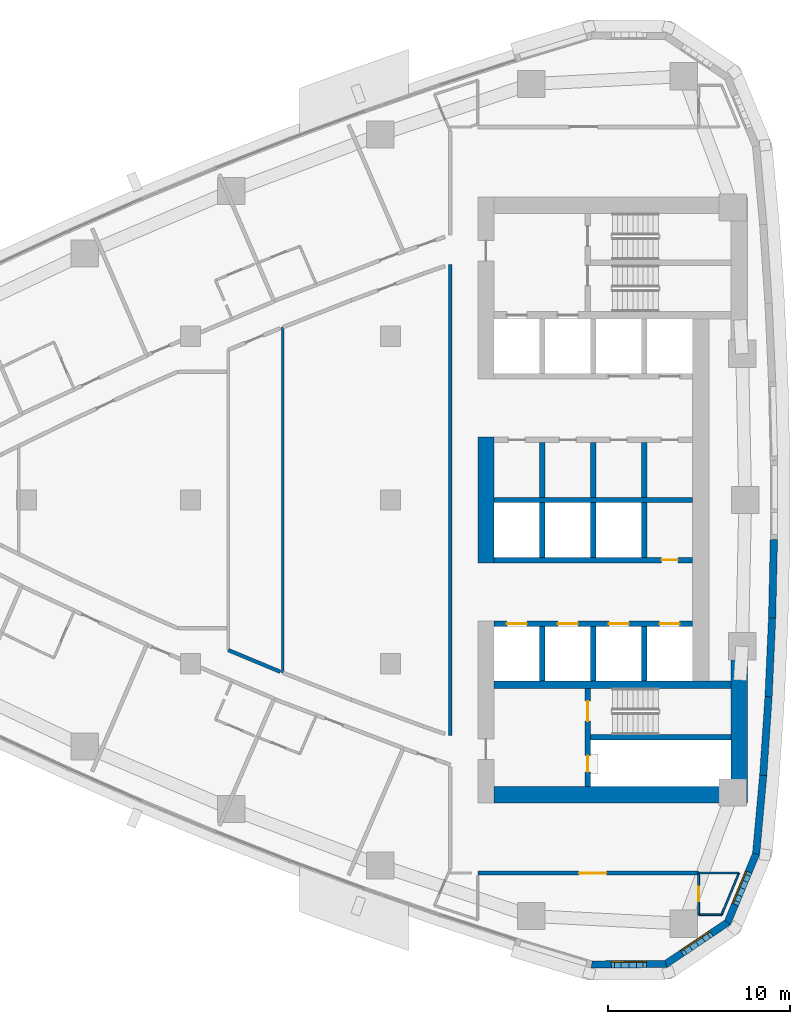
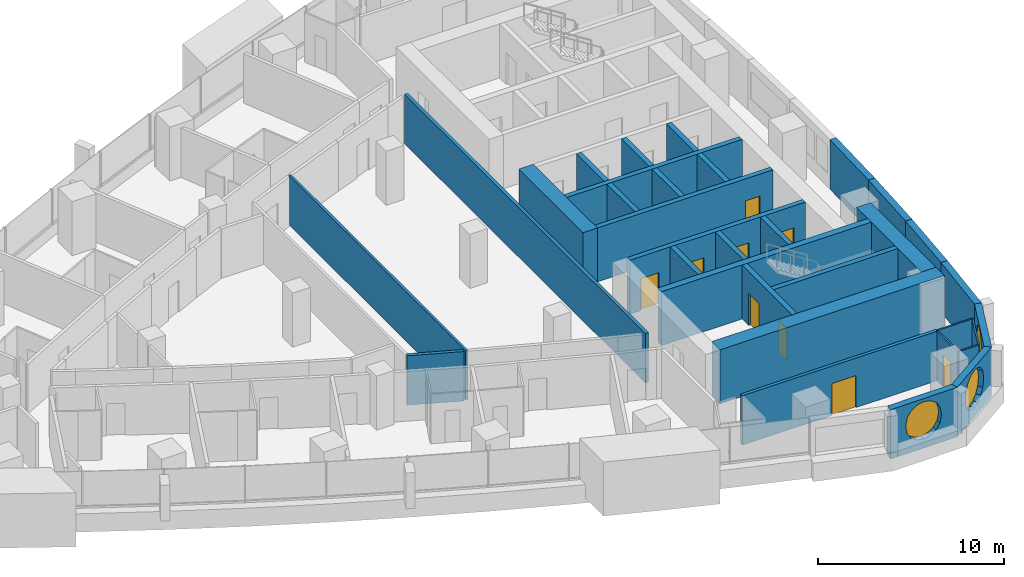
# One storey, part 10 of 17: 33 walls, 9 doors, 3 windows, 12 openings.
"""IFC4 building model written with IfcOpenShell, lengths in metres."""

import ifcopenshell
import ifcopenshell.guid

model = None  # the IFC model being written
_history = None  # IfcOwnerHistory: only IFC2X3 demands one
_inside = {}  # id of a spatial element -> (the spatial element, [elements in it])
_under = {}  # id of a project, library or spatial element -> (it, [spatial elements below it])
_declared = {}  # id of a project -> (the project, [libraries it declares])
_typed = {}  # id of a type object -> (the type object, [elements of that type])
_made_of = {}  # id of a material, layer set ... -> (it, [elements and type objects made of it])


def new_model(schema):
    """Start an empty IFC model of exactly this schema.

    Asked for "IFC4X3", IfcOpenShell would pick the latest addendum, in which some entities
    have other attributes; the version numbers below select the first issue.
    IFC2X3 requires an IfcOwnerHistory on every rooted entity: one is made here for all.
    """
    global model, _history
    if schema == "IFC4X3":
        model = ifcopenshell.file(schema_version=(4, 3, 0, 0))
    else:
        model = ifcopenshell.file(schema=schema)
    _inside.clear()
    _under.clear()
    _declared.clear()
    _typed.clear()
    _made_of.clear()
    _history = None
    if model.schema == "IFC2X3":
        org = make("IfcOrganization", Name="unknown")
        user = make(
            "IfcPersonAndOrganization",
            ThePerson=make("IfcPerson", FamilyName="unknown"),
            TheOrganization=org,
        )
        app = make(
            "IfcApplication",
            ApplicationDeveloper=org,
            Version="unknown",
            ApplicationFullName="unknown",
            ApplicationIdentifier="unknown",
        )
        _history = make(
            "IfcOwnerHistory",
            OwningUser=user,
            OwningApplication=app,
            ChangeAction="ADDED",
            CreationDate=0,
        )
    return model


def make(cls, **values):
    """One entity of the class cls with the attributes given. An attribute that is None is left unset."""
    return model.create_entity(
        cls, **{name: value for name, value in values.items() if value is not None}
    )


def rooted(cls, **values):
    """An entity with a GlobalId (a new one), such as an element, a storey or a relation."""
    return make(cls, GlobalId=ifcopenshell.guid.new(), OwnerHistory=_history, **values)


def si_unit(unit_type, name, prefix=None):
    """IfcSIUnit, for example si_unit("LENGTHUNIT", "METRE", prefix="MILLI")."""
    return make("IfcSIUnit", UnitType=unit_type, Prefix=prefix, Name=name)


def assignment(units):
    """IfcUnitAssignment: the units of a project."""
    return None if units is None else make("IfcUnitAssignment", Units=units)


def point(xyz):
    """IfcCartesianPoint."""
    return None if xyz is None else make("IfcCartesianPoint", Coordinates=xyz)


def direction(xyz):
    """IfcDirection."""
    return None if xyz is None else make("IfcDirection", DirectionRatios=xyz)


def frame(location, z_axis=None, x_axis=None):
    """IfcAxis2Placement3D, a coordinate frame: its origin and axes. An axis left out is left unset."""
    return make(
        "IfcAxis2Placement3D",
        Location=point(location),
        Axis=direction(z_axis),
        RefDirection=direction(x_axis),
    )


def frame_2d(location, x_axis=None):
    """IfcAxis2Placement2D, a coordinate frame in the plane: its origin and x axis."""
    return make(
        "IfcAxis2Placement2D", Location=point(location), RefDirection=direction(x_axis)
    )


def origin():
    """The frame at (0, 0, 0) with its axes left unset."""
    return frame((0.0, 0.0, 0.0))


def place(relative_to, where):
    """IfcLocalPlacement: puts the frame where relative to a parent placement (None: the world)."""
    return make(
        "IfcLocalPlacement", PlacementRelTo=relative_to, RelativePlacement=where
    )


def context(
    kind, dimensions, precision=None, world=None, true_north=None, identifier=None
):
    """IfcGeometricRepresentationContext, for example the 3D "Model" context."""
    return make(
        "IfcGeometricRepresentationContext",
        ContextIdentifier=identifier,
        ContextType=kind,
        CoordinateSpaceDimension=dimensions,
        Precision=precision,
        WorldCoordinateSystem=world,
        TrueNorth=true_north,
    )


def subcontext(parent, identifier, kind, view, scale=None):
    """IfcGeometricRepresentationSubContext, for example "Body" below "Model"."""
    return make(
        "IfcGeometricRepresentationSubContext",
        ContextIdentifier=identifier,
        ContextType=kind,
        ParentContext=parent,
        TargetScale=scale,
        TargetView=view,
    )


def project(units=None, contexts=None):
    """IfcProject with its units and contexts."""
    return rooted(
        "IfcProject",
        Name="project",
        RepresentationContexts=contexts,
        UnitsInContext=assignment(units),
    )


def spatial(cls, under=None, at=None, **own):
    """A site, building, storey or space (cls), placed at a placement, below another one or the project."""
    s = rooted(cls, ObjectPlacement=at, **own)
    if under is not None:
        _under.setdefault(under.id(), (under, []))[1].append(s)
    return s


def polyline(points):
    """IfcPolyline through the points."""
    return make("IfcPolyline", Points=[point(p) for p in points])


def profile(cls, at=None, kind="AREA", **sizes):
    """A parametric profile (cls). Its sizes go by their IFC names, for example OverallWidth=200.0."""
    return make(cls, ProfileType=kind, Position=at, **sizes)


def rectangle(**sizes):
    """IfcRectangleProfileDef."""
    return profile("IfcRectangleProfileDef", **sizes)


def outline(outer, holes=None, kind="AREA"):
    """IfcArbitraryClosedProfileDef: a profile drawn as a closed curve; with holes, ...WithVoids."""
    if holes is None:
        return make("IfcArbitraryClosedProfileDef", ProfileType=kind, OuterCurve=outer)
    return make(
        "IfcArbitraryProfileDefWithVoids",
        ProfileType=kind,
        OuterCurve=outer,
        InnerCurves=holes,
    )


def extrude(swept, where, along, depth):
    """IfcExtrudedAreaSolid: the profile swept, set in the frame where, extruded along a direction by depth."""
    return make(
        "IfcExtrudedAreaSolid",
        SweptArea=swept,
        Position=where,
        ExtrudedDirection=direction(along),
        Depth=depth,
    )


def shape(context_of_items, identifier, shape_type, items):
    """IfcShapeRepresentation: the items that make up one representation, for example the "Body"."""
    return make(
        "IfcShapeRepresentation",
        ContextOfItems=context_of_items,
        RepresentationIdentifier=identifier,
        RepresentationType=shape_type,
        Items=items,
    )


def material(Name=None, Category=None):
    """IfcMaterial."""
    return make("IfcMaterial", Name=Name, Category=Category)


def layer(
    of_material, thickness, ventilated=None, Name=None, Category=None, Priority=None
):
    """IfcMaterialLayer: one layer of a wall or slab, of a material (None: an air gap)."""
    return make(
        "IfcMaterialLayer",
        Material=of_material,
        LayerThickness=thickness,
        IsVentilated=ventilated,
        Name=Name,
        Category=Category,
        Priority=Priority,
    )


def layer_set(layers, Name=None):
    """IfcMaterialLayerSet."""
    return make("IfcMaterialLayerSet", MaterialLayers=layers, LayerSetName=Name)


def made_of(thing, what):
    """Note that an element or type object is made of a material, layer set ...; save() writes the relation."""
    if what is not None:
        _made_of.setdefault(what.id(), (what, []))[1].append(thing)
    return thing


def type_object(cls, material=None, **own):
    """A type object (cls), such as IfcWallType, which elements share."""
    return made_of(rooted(cls, **own), material)


def element(
    cls,
    number,
    at=None,
    inside=None,
    cuts=None,
    type_object=None,
    material=None,
    context=None,
    identifier="Body",
    shape_type=None,
    held_by="IfcProductDefinitionShape",
    body=None,
    shapes=None,
    **own,
):
    """One element of the class cls, such as IfcWall. Its Tag is "e" and its number.

    at: its placement. inside: the storey or other place that contains it. cuts: it is an
    opening in that element (IfcRelVoidsElement). A single representation is given by context,
    identifier, shape_type and body (its items); several are given by shapes. held_by: the class
    of the entity that holds the representations. save() writes the other relations.
    """
    e = rooted(cls, Tag="e%d" % number, ObjectPlacement=at, **own)
    if body is not None:
        shapes = [shape(context, identifier, shape_type, body)]
    if shapes is not None:
        e.Representation = make(held_by, Representations=shapes)
    if inside is not None:
        _inside.setdefault(inside.id(), (inside, []))[1].append(e)
    if cuts is not None:
        rooted(
            "IfcRelVoidsElement", RelatingBuildingElement=cuts, RelatedOpeningElement=e
        )
    if type_object is not None:
        _typed.setdefault(type_object.id(), (type_object, []))[1].append(e)
    return made_of(e, material)


def fill(opening, filler):
    """IfcRelFillsElement: the door or window that sits in an opening."""
    return rooted(
        "IfcRelFillsElement",
        RelatingOpeningElement=opening,
        RelatedBuildingElement=filler,
    )


def aggregate(whole, parts):
    """IfcRelAggregates: a whole, such as a stair, and the parts it consists of."""
    return rooted("IfcRelAggregates", RelatingObject=whole, RelatedObjects=parts)


def save(model, path):
    """Write the relations noted so far, then the file.

    IfcRelAggregates (storeys below a building ...), IfcRelContainedInSpatialStructure (elements
    in a storey), IfcRelDefinesByType, IfcRelAssociatesMaterial and IfcRelDeclares: one each for
    every whole, place, type object, material and project.
    """
    for whole, parts in _under.values():
        aggregate(whole, parts)
    for where, things in _inside.values():
        rooted(
            "IfcRelContainedInSpatialStructure",
            RelatedElements=things,
            RelatingStructure=where,
        )
    for kind, things in _typed.values():
        rooted("IfcRelDefinesByType", RelatedObjects=things, RelatingType=kind)
    for what, things in _made_of.values():
        rooted("IfcRelAssociatesMaterial", RelatedObjects=things, RelatingMaterial=what)
    for by, libraries in _declared.values():
        rooted("IfcRelDeclares", RelatingContext=by, RelatedDefinitions=libraries)
    model.write(path)


model = new_model("IFC4")

# Units and contexts
model_context = context("Model", 3, precision=1e-05, world=origin(), true_north=direction((0.0, 1.0)))
body_context = subcontext(model_context, "Body", "Model", "MODEL_VIEW")
ifc_project = project(units=[si_unit("LENGTHUNIT", "METRE"), si_unit("AREAUNIT", "SQUARE_METRE"), si_unit("VOLUMEUNIT", "CUBIC_METRE"), si_unit("PLANEANGLEUNIT", "RADIAN"), si_unit("MASSUNIT", "GRAM", prefix="KILO")], contexts=[model_context])

# Site, building, storey
site_placement = place(None, origin())
site = spatial("IfcSite", under=ifc_project, at=site_placement, CompositionType="ELEMENT")
building_placement = place(site_placement, origin())
building = spatial("IfcBuilding", under=site, at=building_placement, Name="Ostrand Prow Hotel Tower", CompositionType="ELEMENT")
storey_placement = place(building_placement, frame((0.0, 0.0, 158.60009765625)))
storey = spatial("IfcBuildingStorey", under=building, at=storey_placement, Name="L39", CompositionType="ELEMENT", Elevation=158.60009765625)

# Walls
ifc_material_1 = material(Name="Concrete C70/85", Category="concrete")
ifc_layer_1 = layer(ifc_material_1, 0.300048828125)
ifc_layer_set_1 = layer_set([ifc_layer_1], Name="Concrete C70/85")
wall_type_1 = type_object("IfcWallType", Name="Core wall 300 C70/85", PredefinedType="SHEAR", material=ifc_layer_set_1)
wall_1_placement = place(storey_placement, frame((50.699951171875, 0.0, 0.0), z_axis=(0.0, 0.0, 1.0), x_axis=(1.0, 0.0, 0.0)))
element("IfcWall", 1, at=wall_1_placement, inside=storey, type_object=wall_type_1, Name="Core wall PW-C", PredefinedType="SHEAR", context=body_context, shape_type="SweptSolid", body=[
    extrude(rectangle(XDim=10.900146484375, YDim=0.300048828125, at=frame_2d((5.4501953125, 0.0))), origin(), (0.0, 0.0, 1.0), 3.5498046875),
])
for number, where, z_axis, x_axis, name in (
    (2, (53.35009765625, 0.14990234375, 0.0), (0.0, 0.0, 1.0), (0.0, 1.0, 0.0), "Core wall PW-R1-NB"),
    (3, (56.14990234375, 0.14990234375, 0.0), (0.0, 0.0, 1.0), (0.0, 1.0, 0.0), "Core wall PW-R2-NB"),
    (4, (58.949951171875, 0.14990234375, 0.0), (0.0, 0.0, 1.0), (0.0, 1.0, 0.0), "Core wall PW-R3-NB"),
):
    element("IfcWall", number, at=place(storey_placement, frame(where, z_axis=z_axis, x_axis=x_axis)), inside=storey, type_object=wall_type_1, Name=name, PredefinedType="SHEAR", context=body_context, shape_type="SweptSolid", body=[
        extrude(rectangle(XDim=3.0, YDim=0.300048828125, at=frame_2d((1.5, 0.0))), origin(), (0.0, 0.0, 1.0), 3.5498046875),
    ])

# Wall, opening, door
wall_2_placement = place(storey_placement, frame((50.699951171875, -3.300048828125, 0.0), z_axis=(0.0, 0.0, 1.0), x_axis=(1.0, 0.0, 0.0)))
wall_2 = element("IfcWall", 5, at=wall_2_placement, inside=storey, type_object=wall_type_1, Name="Core wall PW-L1-S", PredefinedType="SHEAR", context=body_context, shape_type="SweptSolid", body=[
    extrude(rectangle(XDim=10.900146484375, YDim=0.300048828125, at=frame_2d((5.4501953125, 0.0))), origin(), (0.0, 0.0, 1.0), 3.5498046875),
])
opening_1_placement = place(wall_2_placement, frame((9.199951171875, 0.0, 0.0)))
opening_1 = element("IfcOpeningElement", 6, at=opening_1_placement, cuts=wall_2, Name="Opening FD2", PredefinedType="OPENING", context=body_context, shape_type="SweptSolid", body=[
    extrude(rectangle(XDim=0.89990234375, YDim=2.10009765625, at=frame_2d((0.449951171875, 1.050048828125))), frame((0.0, 0.159912109375, 0.0), z_axis=(0.0, -1.0, 0.0), x_axis=(1.0, 0.0, 0.0)), (0.0, 0.0, 1.0), 0.320068359375),
])
ifc_material_2 = material(Name="Steel fire door", Category="steel")
door_type_1 = type_object("IfcDoorType", Name="Fire door 900 EI120", OperationType="SINGLE_SWING_LEFT", PredefinedType="DOOR", material=ifc_material_2)
door_1_placement = place(opening_1_placement, origin())
door_1 = element("IfcDoor", 7, at=door_1_placement, inside=storey, type_object=door_type_1, Name="DOOR", OperationType="SINGLE_SWING_LEFT", OverallHeight=2.10009765625, OverallWidth=0.89990234375, PredefinedType="DOOR", context=body_context, shape_type="SweptSolid", body=[
    extrude(rectangle(XDim=0.89990234375, YDim=2.10009765625, at=frame_2d((0.449951171875, 1.050048828125))), frame((0.0, 0.02490234375, 0.0), z_axis=(0.0, -1.0, 0.0), x_axis=(1.0, 0.0, 0.0)), (0.0, 0.0, 1.0), 0.050048828125),
])
fill(opening_1, door_1)

# Wall, openings, doors
wall_3_placement = place(storey_placement, frame((50.699951171875, -6.800048828125, 0.0), z_axis=(0.0, 0.0, 1.0), x_axis=(1.0, 0.0, 0.0)))
wall_3 = element("IfcWall", 8, at=wall_3_placement, inside=storey, type_object=wall_type_1, Name="Core wall PW-L2-S", PredefinedType="SHEAR", context=body_context, shape_type="SweptSolid", body=[
    extrude(rectangle(XDim=10.900146484375, YDim=0.300048828125, at=frame_2d((5.4501953125, 0.0))), origin(), (0.0, 0.0, 1.0), 3.5498046875),
])
opening_2_placement = place(wall_3_placement, frame((0.699951171875, 0.0, 0.0)))
opening_2 = element("IfcOpeningElement", 9, at=opening_2_placement, cuts=wall_3, Name="Opening LD", PredefinedType="OPENING", context=body_context, shape_type="SweptSolid", body=[
    extrude(rectangle(XDim=1.10009765625, YDim=2.10009765625, at=frame_2d((0.550048828125, 1.050048828125))), frame((0.0, 0.159912109375, 0.0), z_axis=(0.0, -1.0, 0.0), x_axis=(1.0, 0.0, 0.0)), (0.0, 0.0, 1.0), 0.320068359375),
])
opening_3_placement = place(wall_3_placement, frame((3.5, 0.0, 0.0)))
opening_3 = element("IfcOpeningElement", 10, at=opening_3_placement, cuts=wall_3, Name="Opening LD", PredefinedType="OPENING", context=body_context, shape_type="SweptSolid", body=[
    extrude(rectangle(XDim=1.10009765625, YDim=2.10009765625, at=frame_2d((0.550048828125, 1.050048828125))), frame((0.0, 0.159912109375, 0.0), z_axis=(0.0, -1.0, 0.0), x_axis=(1.0, 0.0, 0.0)), (0.0, 0.0, 1.0), 0.320068359375),
])
opening_4_placement = place(wall_3_placement, frame((6.300048828125, 0.0, 0.0)))
opening_4 = element("IfcOpeningElement", 11, at=opening_4_placement, cuts=wall_3, Name="Opening LD", PredefinedType="OPENING", context=body_context, shape_type="SweptSolid", body=[
    extrude(rectangle(XDim=1.10009765625, YDim=2.10009765625, at=frame_2d((0.550048828125, 1.050048828125))), frame((0.0, 0.159912109375, 0.0), z_axis=(0.0, -1.0, 0.0), x_axis=(1.0, 0.0, 0.0)), (0.0, 0.0, 1.0), 0.320068359375),
])
opening_5_placement = place(wall_3_placement, frame((9.10009765625, 0.0, 0.0)))
opening_5 = element("IfcOpeningElement", 12, at=opening_5_placement, cuts=wall_3, Name="Opening LD", PredefinedType="OPENING", context=body_context, shape_type="SweptSolid", body=[
    extrude(rectangle(XDim=1.10009765625, YDim=2.10009765625, at=frame_2d((0.550048828125, 1.050048828125))), frame((0.0, 0.159912109375, 0.0), z_axis=(0.0, -1.0, 0.0), x_axis=(1.0, 0.0, 0.0)), (0.0, 0.0, 1.0), 0.320068359375),
])
ifc_material_3 = material(Name="Stainless steel door", Category="steel")
door_type_2 = type_object("IfcDoorType", Name="Lift landing door 1100", OperationType="DOUBLE_DOOR_SLIDING", PredefinedType="DOOR", material=ifc_material_3)
door_2_placement = place(opening_2_placement, origin())
door_2 = element("IfcDoor", 13, at=door_2_placement, inside=storey, type_object=door_type_2, Name="LIFT LANDING DOOR", OperationType="DOUBLE_DOOR_SLIDING", OverallHeight=2.10009765625, OverallWidth=1.10009765625, PredefinedType="DOOR", context=body_context, shape_type="SweptSolid", body=[
    extrude(rectangle(XDim=1.10009765625, YDim=2.10009765625, at=frame_2d((0.550048828125, 1.050048828125))), frame((0.0, 0.02490234375, 0.0), z_axis=(0.0, -1.0, 0.0), x_axis=(1.0, 0.0, 0.0)), (0.0, 0.0, 1.0), 0.050048828125),
])
fill(opening_2, door_2)
door_3_placement = place(opening_3_placement, origin())
door_3 = element("IfcDoor", 14, at=door_3_placement, inside=storey, type_object=door_type_2, Name="LIFT LANDING DOOR", OperationType="DOUBLE_DOOR_SLIDING", OverallHeight=2.10009765625, OverallWidth=1.10009765625, PredefinedType="DOOR", context=body_context, shape_type="SweptSolid", body=[
    extrude(rectangle(XDim=1.10009765625, YDim=2.10009765625, at=frame_2d((0.550048828125, 1.050048828125))), frame((0.0, 0.02490234375, 0.0), z_axis=(0.0, -1.0, 0.0), x_axis=(1.0, 0.0, 0.0)), (0.0, 0.0, 1.0), 0.050048828125),
])
fill(opening_3, door_3)
door_4_placement = place(opening_4_placement, origin())
door_4 = element("IfcDoor", 15, at=door_4_placement, inside=storey, type_object=door_type_2, Name="LIFT LANDING DOOR", OperationType="DOUBLE_DOOR_SLIDING", OverallHeight=2.10009765625, OverallWidth=1.10009765625, PredefinedType="DOOR", context=body_context, shape_type="SweptSolid", body=[
    extrude(rectangle(XDim=1.10009765625, YDim=2.10009765625, at=frame_2d((0.550048828125, 1.050048828125))), frame((0.0, 0.02490234375, 0.0), z_axis=(0.0, -1.0, 0.0), x_axis=(1.0, 0.0, 0.0)), (0.0, 0.0, 1.0), 0.050048828125),
])
fill(opening_4, door_4)
door_5_placement = place(opening_5_placement, origin())
door_5 = element("IfcDoor", 16, at=door_5_placement, inside=storey, type_object=door_type_2, Name="LIFT LANDING DOOR", OperationType="DOUBLE_DOOR_SLIDING", OverallHeight=2.10009765625, OverallWidth=1.10009765625, PredefinedType="DOOR", context=body_context, shape_type="SweptSolid", body=[
    extrude(rectangle(XDim=1.10009765625, YDim=2.10009765625, at=frame_2d((0.550048828125, 1.050048828125))), frame((0.0, 0.02490234375, 0.0), z_axis=(0.0, -1.0, 0.0), x_axis=(1.0, 0.0, 0.0)), (0.0, 0.0, 1.0), 0.050048828125),
])
fill(opening_5, door_5)

# Walls
for number, where, z_axis, x_axis, name in (
    (17, (53.35009765625, -3.14990234375, 0.0), (0.0, 0.0, 1.0), (0.0, 1.0, 0.0), "Core wall PW-R1-SB"),
    (18, (53.35009765625, -9.949951171875, 0.0), (0.0, 0.0, 1.0), (0.0, 1.0, 0.0), "Core wall PW-R1-SA"),
    (19, (56.14990234375, -3.14990234375, 0.0), (0.0, 0.0, 1.0), (0.0, 1.0, 0.0), "Core wall PW-R2-SB"),
    (20, (56.14990234375, -9.949951171875, 0.0), (0.0, 0.0, 1.0), (0.0, 1.0, 0.0), "Core wall PW-R2-SA"),
    (21, (58.949951171875, -3.14990234375, 0.0), (0.0, 0.0, 1.0), (0.0, 1.0, 0.0), "Core wall PW-R3-SB"),
    (22, (58.949951171875, -9.949951171875, 0.0), (0.0, 0.0, 1.0), (0.0, 1.0, 0.0), "Core wall PW-R3-SA"),
):
    element("IfcWall", number, at=place(storey_placement, frame(where, z_axis=z_axis, x_axis=x_axis)), inside=storey, type_object=wall_type_1, Name=name, PredefinedType="SHEAR", context=body_context, shape_type="SweptSolid", body=[
        extrude(rectangle(XDim=3.0, YDim=0.300048828125, at=frame_2d((1.5, 0.0))), origin(), (0.0, 0.0, 1.0), 3.5498046875),
    ])

# Wall, openings, doors
wall_4_placement = place(storey_placement, frame((55.85009765625, -15.75, 0.0), z_axis=(0.0, 0.0, 1.0), x_axis=(0.0, 1.0, 0.0)))
wall_4 = element("IfcWall", 23, at=wall_4_placement, inside=storey, type_object=wall_type_1, Name="Core wall PW-VS", PredefinedType="SHEAR", context=body_context, shape_type="SweptSolid", body=[
    extrude(rectangle(XDim=5.39990234375, YDim=0.300048828125, at=frame_2d((2.699951171875, 0.0))), origin(), (0.0, 0.0, 1.0), 3.5498046875),
])
opening_6_placement = place(wall_4_placement, frame((3.60009765625, 0.0, 0.0)))
opening_6 = element("IfcOpeningElement", 24, at=opening_6_placement, cuts=wall_4, Name="Opening FD1", PredefinedType="OPENING", context=body_context, shape_type="SweptSolid", body=[
    extrude(rectangle(XDim=1.10009765625, YDim=2.10009765625, at=frame_2d((0.550048828125, 1.050048828125))), frame((0.0, 0.159912109375, 0.0), z_axis=(0.0, -1.0, 0.0), x_axis=(1.0, 0.0, 0.0)), (0.0, 0.0, 1.0), 0.320068359375),
])
opening_7_placement = place(wall_4_placement, frame((0.800048828125, 0.0, 0.0)))
opening_7 = element("IfcOpeningElement", 25, at=opening_7_placement, cuts=wall_4, Name="Opening FD2", PredefinedType="OPENING", context=body_context, shape_type="SweptSolid", body=[
    extrude(rectangle(XDim=0.89990234375, YDim=2.10009765625, at=frame_2d((0.449951171875, 1.050048828125))), frame((0.0, 0.159912109375, 0.0), z_axis=(0.0, -1.0, 0.0), x_axis=(1.0, 0.0, 0.0)), (0.0, 0.0, 1.0), 0.320068359375),
])
ifc_material_4 = material(Name="Steel fire door", Category="steel")
door_type_3 = type_object("IfcDoorType", Name="Fire door 1100 EI120", OperationType="SINGLE_SWING_RIGHT", PredefinedType="DOOR", material=ifc_material_4)
door_6_placement = place(opening_6_placement, origin())
door_6 = element("IfcDoor", 26, at=door_6_placement, inside=storey, type_object=door_type_3, Name="FIRE DOOR", OperationType="SINGLE_SWING_RIGHT", OverallHeight=2.10009765625, OverallWidth=1.10009765625, PredefinedType="DOOR", context=body_context, shape_type="SweptSolid", body=[
    extrude(rectangle(XDim=1.10009765625, YDim=2.10009765625, at=frame_2d((0.550048828125, 1.050048828125))), frame((0.0, 0.02490234375, 0.0), z_axis=(0.0, -1.0, 0.0), x_axis=(1.0, 0.0, 0.0)), (0.0, 0.0, 1.0), 0.050048828125),
])
fill(opening_6, door_6)
door_7_placement = place(opening_7_placement, origin())
door_7 = element("IfcDoor", 27, at=door_7_placement, inside=storey, type_object=door_type_1, Name="FIRE DOOR", OperationType="SINGLE_SWING_LEFT", OverallHeight=2.10009765625, OverallWidth=0.89990234375, PredefinedType="DOOR", context=body_context, shape_type="SweptSolid", body=[
    extrude(rectangle(XDim=0.89990234375, YDim=2.10009765625, at=frame_2d((0.449951171875, 1.050048828125))), frame((0.0, 0.02490234375, 0.0), z_axis=(0.0, -1.0, 0.0), x_axis=(1.0, 0.0, 0.0)), (0.0, 0.0, 1.0), 0.050048828125),
])
fill(opening_7, door_7)

# Walls
wall_5_placement = place(storey_placement, frame((56.0, -13.050048828125, 0.0), z_axis=(0.0, 0.0, 1.0), x_axis=(1.0, 0.0, 0.0)))
element("IfcWall", 28, at=wall_5_placement, inside=storey, type_object=wall_type_1, Name="Core wall PW-ST2R", PredefinedType="SHEAR", context=body_context, shape_type="SweptSolid", body=[
    extrude(rectangle(XDim=7.719970703125, YDim=0.300048828125, at=frame_2d((3.85986328125, 0.0))), origin(), (0.0, 0.0, 1.0), 3.5498046875),
])
ifc_material_5 = material(Name="Concrete C70/85", Category="concrete")
ifc_layer_2 = layer(ifc_material_5, 0.39990234375)
ifc_layer_set_2 = layer_set([ifc_layer_2], Name="Concrete C70/85")
wall_type_2 = type_object("IfcWallType", Name="Core wall 400 C70/85", PredefinedType="SHEAR", material=ifc_layer_set_2)
wall_6_placement = place(storey_placement, frame((50.699951171875, -10.14990234375, 0.0), z_axis=(0.0, 0.0, 1.0), x_axis=(1.0, 0.0, 0.0)))
element("IfcWall", 29, at=wall_6_placement, inside=storey, type_object=wall_type_2, Name="Core wall PW-BS", PredefinedType="SHEAR", context=body_context, shape_type="SweptSolid", body=[
    extrude(rectangle(XDim=13.02001953125, YDim=0.39990234375, at=frame_2d((6.510009765625, 0.0))), origin(), (0.0, 0.0, 1.0), 3.5498046875),
])
ifc_material_6 = material(Name="Concrete C70/85", Category="concrete")
ifc_layer_3 = layer(ifc_material_6, 0.89990234375)
ifc_layer_set_3 = layer_set([ifc_layer_3], Name="Concrete C70/85")
wall_type_3 = type_object("IfcWallType", Name="Core wall 900 C70/85", PredefinedType="SHEAR", material=ifc_layer_set_3)
wall_7_placement = place(storey_placement, frame((50.25, -3.449951171875, 0.0), z_axis=(0.0, 0.0, 1.0), x_axis=(0.0, 1.0, 0.0)))
element("IfcWall", 30, at=wall_7_placement, inside=storey, type_object=wall_type_3, Name="Core wall CW-W-C", PredefinedType="SHEAR", context=body_context, shape_type="SweptSolid", body=[
    extrude(rectangle(XDim=6.89990234375, YDim=0.89990234375, at=frame_2d((3.449951171875, 0.0))), origin(), (0.0, 0.0, 1.0), 3.5498046875),
])
wall_8_placement = place(storey_placement, frame((50.699951171875, -16.199951171875, 0.0), z_axis=(0.0, 0.0, 1.0), x_axis=(1.0, 0.0, 0.0)))
element("IfcWall", 31, at=wall_8_placement, inside=storey, type_object=wall_type_3, Name="Core wall CW-S", PredefinedType="SHEAR", context=body_context, shape_type="SweptSolid", body=[
    extrude(rectangle(XDim=13.920166015625, YDim=0.89990234375, at=frame_2d((6.9599609375, 0.0))), origin(), (0.0, 0.0, 1.0), 3.5498046875),
])
wall_9_placement = place(storey_placement, frame((64.169921875, -15.75, 0.0), z_axis=(0.0, 0.0, 1.0), x_axis=(0.0, 1.0, 0.0)))
element("IfcWall", 32, at=wall_9_placement, inside=storey, type_object=wall_type_3, Name="Core wall CW-E-S", PredefinedType="SHEAR", context=body_context, shape_type="SweptSolid", body=[
    extrude(rectangle(XDim=7.00537109375, YDim=0.89990234375, at=frame_2d((3.502685546875, 0.0))), origin(), (0.0, 0.0, 1.0), 3.5498046875),
])

# Wall, opening, door
ifc_material_7 = material(Name="Plasterboard partition")
ifc_layer_4 = layer(ifc_material_7, 0.10009765625)
ifc_layer_set_4 = layer_set([ifc_layer_4], Name="Plasterboard partition")
wall_type_4 = type_object("IfcWallType", Name="Partition 100 bathroom wall", PredefinedType="PARTITIONING", material=ifc_layer_set_4)
wall_10_placement = place(storey_placement, frame((61.9375, -22.800048828125, 0.0), z_axis=(0.0, 0.0, 1.0), x_axis=(0.0, 1.0, 0.0)))
wall_10 = element("IfcWall", 33, at=wall_10_placement, inside=storey, type_object=wall_type_4, Name="BATHROOM WALL", PredefinedType="PARTITIONING", context=body_context, shape_type="SweptSolid", body=[
    extrude(rectangle(XDim=2.300048828125, YDim=0.10009765625, at=frame_2d((1.14990234375, 0.0))), origin(), (0.0, 0.0, 1.0), 3.25),
])
opening_8_placement = place(wall_10_placement, frame((0.75, 0.0, 0.0)))
opening_8 = element("IfcOpeningElement", 34, at=opening_8_placement, cuts=wall_10, Name="Opening D2", PredefinedType="OPENING", context=body_context, shape_type="SweptSolid", body=[
    extrude(rectangle(XDim=0.800048828125, YDim=2.10009765625, at=frame_2d((0.39990234375, 1.050048828125))), frame((0.0, 0.06005859375, 0.0), z_axis=(0.0, -1.0, 0.0), x_axis=(1.0, 0.0, 0.0)), (0.0, 0.0, 1.0), 0.1201171875),
])
ifc_material_8 = material(Name="Timber door leaf", Category="wood")
door_type_4 = type_object("IfcDoorType", Name="Bathroom door 800", OperationType="SINGLE_SWING_LEFT", PredefinedType="DOOR", material=ifc_material_8)
door_8_placement = place(opening_8_placement, origin())
door_8 = element("IfcDoor", 35, at=door_8_placement, inside=storey, type_object=door_type_4, Name="DOOR", OperationType="SINGLE_SWING_LEFT", OverallHeight=2.10009765625, OverallWidth=0.800048828125, PredefinedType="DOOR", context=body_context, shape_type="SweptSolid", body=[
    extrude(rectangle(XDim=0.800048828125, YDim=2.10009765625, at=frame_2d((0.39990234375, 1.050048828125))), frame((0.0, 0.02490234375, 0.0), z_axis=(0.0, -1.0, 0.0), x_axis=(1.0, 0.0, 0.0)), (0.0, 0.0, 1.0), 0.050048828125),
])
fill(opening_8, door_8)

# Walls
wall_11_placement = place(storey_placement, frame((63.1982421875, -22.800048828125, 0.0), z_axis=(0.0, 0.0, 1.0), x_axis=(-1.0, 0.0, 0.0)))
element("IfcWall", 36, at=wall_11_placement, inside=storey, type_object=wall_type_4, Name="BATHROOM WALL", PredefinedType="PARTITIONING", context=body_context, shape_type="SweptSolid", body=[
    extrude(rectangle(XDim=1.2607421875, YDim=0.10009765625, at=frame_2d((0.63037109375, 0.0))), origin(), (0.0, 0.0, 1.0), 3.25),
])
wall_12_placement = place(storey_placement, frame((61.9375, -20.5048828125, 0.0), z_axis=(0.0, 0.0, 1.0), x_axis=(1.0, 0.0, 0.0)))
element("IfcWall", 37, at=wall_12_placement, inside=storey, type_object=wall_type_4, Name="BATHROOM WALL", PredefinedType="PARTITIONING", context=body_context, shape_type="SweptSolid", body=[
    extrude(rectangle(XDim=2.21484375, YDim=0.10009765625, at=frame_2d((1.107421875, 0.0))), origin(), (0.0, 0.0, 1.0), 3.25),
])
wall_13_placement = place(storey_placement, frame((64.15234375, -20.5048828125, 0.0), z_axis=(0.0, 0.0, 1.0), x_axis=(-0.383855043906, -0.923393364319, 0.0)))
element("IfcWall", 38, at=wall_13_placement, inside=storey, type_object=wall_type_4, Name="BATHROOM WALL", PredefinedType="PARTITIONING", context=body_context, shape_type="SweptSolid", body=[
    extrude(rectangle(XDim=2.485595703125, YDim=0.10009765625, at=frame_2d((1.24267578125, 0.0))), origin(), (0.0, 0.0, 1.0), 3.25),
])
ifc_material_9 = material(Name="Plasterboard partition")
ifc_layer_5 = layer(ifc_material_9, 0.14990234375)
ifc_layer_set_5 = layer_set([ifc_layer_5], Name="Plasterboard partition")
wall_type_5 = type_object("IfcWallType", Name="Partition 150 room partition", PredefinedType="PARTITIONING", material=ifc_layer_set_5)
wall_14_placement = place(storey_placement, frame((39.08740234375, -9.497802734375, 0.0), z_axis=(0.0, 0.0, 1.0), x_axis=(0.0, 1.0, 0.0)))
element("IfcWall", 39, at=wall_14_placement, inside=storey, type_object=wall_type_5, Name="ROOM PARTITION", PredefinedType="PARTITIONING", context=body_context, shape_type="SweptSolid", body=[
    extrude(rectangle(XDim=18.99560546875, YDim=0.14990234375, at=frame_2d((9.497802734375, 0.0))), origin(), (0.0, 0.0, 1.0), 3.25),
])
ifc_material_10 = material(Name="Plasterboard partition")
ifc_layer_6 = layer(ifc_material_10, 0.199951171875)
ifc_layer_set_6 = layer_set([ifc_layer_6], Name="Plasterboard partition")
wall_type_6 = type_object("IfcWallType", Name="Partition 200 corridor wall", PredefinedType="PARTITIONING", material=ifc_layer_set_6)
wall_15_placement = place(storey_placement, frame((38.943115234375, -9.44091796875, 0.0), z_axis=(0.0, 0.0, 1.0), x_axis=(-0.923013875818, 0.384766663118, 0.0)))
element("IfcWall", 40, at=wall_15_placement, inside=storey, type_object=wall_type_6, Name="CORRIDOR WALL", PredefinedType="PARTITIONING", context=body_context, shape_type="SweptSolid", body=[
    extrude(rectangle(XDim=3.093994140625, YDim=0.199951171875, at=frame_2d((1.546875, 0.0))), origin(), (0.0, 0.0, 1.0), 3.25),
])

# Wall, opening, door
wall_16_placement = place(storey_placement, frame((49.800048828125, -20.5048828125, 0.0), z_axis=(0.0, 0.0, 1.0), x_axis=(1.0, 0.0, 0.0)))
wall_16 = element("IfcWall", 41, at=wall_16_placement, inside=storey, type_object=wall_type_6, Name="CORRIDOR WALL", PredefinedType="PARTITIONING", context=body_context, shape_type="SweptSolid", body=[
    extrude(rectangle(XDim=12.132568359375, YDim=0.199951171875, at=frame_2d((6.06640625, 0.0))), origin(), (0.0, 0.0, 1.0), 3.25),
])
opening_9_placement = place(wall_16_placement, frame((5.56640625, 0.0, 0.0)))
opening_9 = element("IfcOpeningElement", 42, at=opening_9_placement, cuts=wall_16, Name="Opening D15", PredefinedType="OPENING", context=body_context, shape_type="SweptSolid", body=[
    extrude(rectangle(XDim=1.5, YDim=2.10009765625, at=frame_2d((0.75, 1.050048828125))), frame((0.0, 0.10986328125, 0.0), z_axis=(0.0, -1.0, 0.0), x_axis=(1.0, 0.0, 0.0)), (0.0, 0.0, 1.0), 0.219970703125),
])
ifc_material_11 = material(Name="Timber door leaf", Category="wood")
door_type_5 = type_object("IfcDoorType", Name="Double door 1500", OperationType="DOUBLE_DOOR_SINGLE_SWING", PredefinedType="DOOR", material=ifc_material_11)
door_9_placement = place(opening_9_placement, origin())
door_9 = element("IfcDoor", 43, at=door_9_placement, inside=storey, type_object=door_type_5, Name="DOOR", OperationType="DOUBLE_DOOR_SINGLE_SWING", OverallHeight=2.10009765625, OverallWidth=1.5, PredefinedType="DOOR", context=body_context, shape_type="SweptSolid", body=[
    extrude(rectangle(XDim=1.5, YDim=2.10009765625, at=frame_2d((0.75, 1.050048828125))), frame((0.0, 0.02490234375, 0.0), z_axis=(0.0, -1.0, 0.0), x_axis=(1.0, 0.0, 0.0)), (0.0, 0.0, 1.0), 0.050048828125),
])
fill(opening_9, door_9)

# Wall
wall_17_placement = place(storey_placement, frame((48.294921875, 12.955078125, 0.0), z_axis=(0.0, 0.0, 1.0), x_axis=(0.0, -1.0, 0.0)))
element("IfcWall", 44, at=wall_17_placement, inside=storey, type_object=wall_type_6, Name="CORRIDOR WALL", PredefinedType="PARTITIONING", context=body_context, shape_type="SweptSolid", body=[
    extrude(rectangle(XDim=25.91015625, YDim=0.199951171875, at=frame_2d((12.955078125, 0.0))), origin(), (0.0, 0.0, 1.0), 3.25),
])

# Wall, opening, window
ifc_material_12 = material(Name="Precast concrete C40/50", Category="concrete")
ifc_layer_7 = layer(ifc_material_12, 0.39990234375)
ifc_layer_set_7 = layer_set([ifc_layer_7], Name="Precast concrete C40/50")
wall_type_7 = type_object("IfcWallType", Name="Stone-faced precast wall 400 mm", PredefinedType="NOTDEFINED", material=ifc_layer_set_7)
wall_18_placement = place(storey_placement, frame((56.05810546875, -25.530517578125, 0.0), z_axis=(0.0, 0.0, 1.0), x_axis=(0.99996933771, 0.007830941131, 0.0)))
wall_18 = element("IfcWall", 45, at=wall_18_placement, inside=storey, type_object=wall_type_7, Name="Stone-faced wall back 2", PredefinedType="NOTDEFINED", context=body_context, shape_type="SweptSolid", body=[
    extrude(outline(polyline([(-0.030517578125, -0.199951171875), (4.14453125, -0.199951171875), (4.02392578125, 0.199951171875), (0.030517578125, 0.199951171875), (-0.030517578125, -0.199951171875)])), origin(), (0.0, 0.0, 1.0), 3.25),
])
opening_10_placement = place(wall_18_placement, frame((0.94189453125, 0.0, 0.60009765625)))
opening_10 = element("IfcOpeningElement", 46, at=opening_10_placement, cuts=wall_18, Name="Opening WP1", PredefinedType="OPENING", context=body_context, shape_type="SweptSolid", body=[
    extrude(outline(polyline([(0.0, 1.35009765625), (0.083740234375, 1.77099609375), (0.322265625, 2.127685546875), (0.678955078125, 2.3662109375), (1.10009765625, 2.449951171875), (1.52099609375, 2.3662109375), (1.877685546875, 2.127685546875), (2.1162109375, 1.77099609375), (2.199951171875, 1.35009765625), (2.199951171875, 1.10009765625), (2.1162109375, 0.678955078125), (1.877685546875, 0.322265625), (1.52099609375, 0.083740234375), (1.10009765625, 0.0), (0.678955078125, 0.083740234375), (0.322265625, 0.322265625), (0.083740234375, 0.678955078125), (0.0, 1.099853515625), (0.0, 1.35009765625)])), frame((0.0, 0.2099609375, 0.0), z_axis=(0.0, -1.0, 0.0), x_axis=(1.0, 0.0, 0.0)), (0.0, 0.0, 1.0), 0.419921875),
])
ifc_material_13 = material(Name="Insulated glass in bronze frame", Category="glass")
window_type = type_object("IfcWindowType", Name="Round-ended prow window 2200x2450", PartitioningType="SINGLE_PANEL", PredefinedType="WINDOW", material=ifc_material_13)
window_1_placement = place(opening_10_placement, origin())
window_1 = element("IfcWindow", 47, at=window_1_placement, inside=storey, type_object=window_type, Name="Window back 2.1", OverallHeight=2.449951171875, OverallWidth=2.199951171875, PartitioningType="SINGLE_PANEL", PredefinedType="WINDOW", context=body_context, shape_type="SweptSolid", body=[
    extrude(outline(polyline([(0.0, 1.35009765625), (0.083740234375, 1.77099609375), (0.322265625, 2.127685546875), (0.678955078125, 2.3662109375), (1.10009765625, 2.449951171875), (1.52099609375, 2.3662109375), (1.877685546875, 2.127685546875), (2.1162109375, 1.77099609375), (2.199951171875, 1.35009765625), (2.199951171875, 1.10009765625), (2.1162109375, 0.678955078125), (1.877685546875, 0.322265625), (1.52099609375, 0.083740234375), (1.10009765625, 0.0), (0.678955078125, 0.083740234375), (0.322265625, 0.322265625), (0.083740234375, 0.678955078125), (0.0, 1.099853515625), (0.0, 1.35009765625)])), frame((0.0, 0.169921875, 0.0), z_axis=(0.0, -1.0, 0.0), x_axis=(1.0, 0.0, 0.0)), (0.0, 0.0, 1.0), 0.06005859375),
])
fill(opening_10, window_1)

wall_19_placement = place(storey_placement, frame((60.14208984375, -25.49853515625, 0.0), z_axis=(0.0, 0.0, 1.0), x_axis=(0.829642062482, 0.558295663749, 0.0)))
wall_19 = element("IfcWall", 48, at=wall_19_placement, inside=storey, type_object=wall_type_7, Name="Stone-faced wall back 3", PredefinedType="NOTDEFINED", context=body_context, shape_type="SweptSolid", body=[
    extrude(outline(polyline([(-0.060302734375, -0.199951171875), (4.144287109375, -0.199951171875), (4.023681640625, 0.199951171875), (0.060302734375, 0.199951171875), (-0.060302734375, -0.199951171875)])), origin(), (0.0, 0.0, 1.0), 3.25),
])
opening_11_placement = place(wall_19_placement, frame((0.94189453125, 0.0, 0.60009765625)))
opening_11 = element("IfcOpeningElement", 49, at=opening_11_placement, cuts=wall_19, Name="Opening WP1", PredefinedType="OPENING", context=body_context, shape_type="SweptSolid", body=[
    extrude(outline(polyline([(0.0, 1.35009765625), (0.083740234375, 1.77099609375), (0.322265625, 2.127685546875), (0.678955078125, 2.3662109375), (1.10009765625, 2.449951171875), (1.52099609375, 2.3662109375), (1.877685546875, 2.127685546875), (2.1162109375, 1.77099609375), (2.199951171875, 1.35009765625), (2.199951171875, 1.10009765625), (2.1162109375, 0.678955078125), (1.877685546875, 0.322265625), (1.52099609375, 0.083740234375), (1.10009765625, 0.0), (0.678955078125, 0.083740234375), (0.322265625, 0.322265625), (0.083740234375, 0.678955078125), (0.0, 1.099853515625), (0.0, 1.35009765625)])), frame((0.0, 0.2099609375, 0.0), z_axis=(0.0, -1.0, 0.0), x_axis=(1.0, 0.0, 0.0)), (0.0, 0.0, 1.0), 0.419921875),
])
window_2_placement = place(opening_11_placement, origin())
window_2 = element("IfcWindow", 50, at=window_2_placement, inside=storey, type_object=window_type, Name="Window back 3.1", OverallHeight=2.449951171875, OverallWidth=2.199951171875, PartitioningType="SINGLE_PANEL", PredefinedType="WINDOW", context=body_context, shape_type="SweptSolid", body=[
    extrude(outline(polyline([(0.0, 1.35009765625), (0.083740234375, 1.77099609375), (0.322265625, 2.127685546875), (0.678955078125, 2.3662109375), (1.10009765625, 2.449951171875), (1.52099609375, 2.3662109375), (1.877685546875, 2.127685546875), (2.1162109375, 1.77099609375), (2.199951171875, 1.35009765625), (2.199951171875, 1.10009765625), (2.1162109375, 0.678955078125), (1.877685546875, 0.322265625), (1.52099609375, 0.083740234375), (1.10009765625, 0.0), (0.678955078125, 0.083740234375), (0.322265625, 0.322265625), (0.083740234375, 0.678955078125), (0.0, 1.099853515625), (0.0, 1.35009765625)])), frame((0.0, 0.169921875, 0.0), z_axis=(0.0, -1.0, 0.0), x_axis=(1.0, 0.0, 0.0)), (0.0, 0.0, 1.0), 0.06005859375),
])
fill(opening_11, window_2)

wall_20_placement = place(storey_placement, frame((63.5302734375, -23.218505859375, 0.0), z_axis=(0.0, 0.0, 1.0), x_axis=(0.383817293519, 0.923409056267, 0.0)))
wall_20 = element("IfcWall", 51, at=wall_20_placement, inside=storey, type_object=wall_type_7, Name="Stone-faced wall back 4", PredefinedType="NOTDEFINED", context=body_context, shape_type="SweptSolid", body=[
    extrude(outline(polyline([(-0.060302734375, -0.199951171875), (4.11474609375, -0.199951171875), (4.0537109375, 0.199951171875), (0.060302734375, 0.199951171875), (-0.060302734375, -0.199951171875)])), origin(), (0.0, 0.0, 1.0), 3.25),
])
opening_12_placement = place(wall_20_placement, frame((0.94189453125, 0.0, 0.60009765625)))
opening_12 = element("IfcOpeningElement", 52, at=opening_12_placement, cuts=wall_20, Name="Opening WP1", PredefinedType="OPENING", context=body_context, shape_type="SweptSolid", body=[
    extrude(outline(polyline([(0.0, 1.35009765625), (0.083740234375, 1.77099609375), (0.322265625, 2.127685546875), (0.678955078125, 2.3662109375), (1.10009765625, 2.449951171875), (1.52099609375, 2.3662109375), (1.877685546875, 2.127685546875), (2.1162109375, 1.77099609375), (2.199951171875, 1.35009765625), (2.199951171875, 1.10009765625), (2.1162109375, 0.678955078125), (1.877685546875, 0.322265625), (1.52099609375, 0.083740234375), (1.10009765625, 0.0), (0.678955078125, 0.083740234375), (0.322265625, 0.322265625), (0.083740234375, 0.678955078125), (0.0, 1.099853515625), (0.0, 1.35009765625)])), frame((0.0, 0.2099609375, 0.0), z_axis=(0.0, -1.0, 0.0), x_axis=(1.0, 0.0, 0.0)), (0.0, 0.0, 1.0), 0.419921875),
])
window_3_placement = place(opening_12_placement, origin())
window_3 = element("IfcWindow", 53, at=window_3_placement, inside=storey, type_object=window_type, Name="Window back 4.1", OverallHeight=2.449951171875, OverallWidth=2.199951171875, PartitioningType="SINGLE_PANEL", PredefinedType="WINDOW", context=body_context, shape_type="SweptSolid", body=[
    extrude(outline(polyline([(0.0, 1.35009765625), (0.083740234375, 1.77099609375), (0.322265625, 2.127685546875), (0.678955078125, 2.3662109375), (1.10009765625, 2.449951171875), (1.52099609375, 2.3662109375), (1.877685546875, 2.127685546875), (2.1162109375, 1.77099609375), (2.199951171875, 1.35009765625), (2.199951171875, 1.10009765625), (2.1162109375, 0.678955078125), (1.877685546875, 0.322265625), (1.52099609375, 0.083740234375), (1.10009765625, 0.0), (0.678955078125, 0.083740234375), (0.322265625, 0.322265625), (0.083740234375, 0.678955078125), (0.0, 1.099853515625), (0.0, 1.35009765625)])), frame((0.0, 0.169921875, 0.0), z_axis=(0.0, -1.0, 0.0), x_axis=(1.0, 0.0, 0.0)), (0.0, 0.0, 1.0), 0.06005859375),
])
fill(opening_12, window_3)

# Walls
wall_21_placement = place(storey_placement, frame((65.097900390625, -19.447021484375, 0.0), z_axis=(0.0, 0.0, 1.0), x_axis=(0.090296735989, 0.995914905737, 0.0)))
element("IfcWall", 54, at=wall_21_placement, inside=storey, type_object=wall_type_7, Name="Stone-faced wall back 5", PredefinedType="NOTDEFINED", context=body_context, shape_type="SweptSolid", body=[
    extrude(outline(polyline([(-0.030517578125, -0.199951171875), (4.330810546875, -0.199951171875), (4.326416015625, 0.199951171875), (0.030517578125, 0.199951171875), (-0.030517578125, -0.199951171875)])), origin(), (0.0, 0.0, 1.0), 3.25),
])
for number, where, z_axis, x_axis, name in (
    (55, (65.48876953125, -15.135986328125, 0.0), (0.0, 0.0, 1.0), (0.067731727279, 0.997703569764, 0.0), "Stone-faced wall back 6"),
    (56, (65.781982421875, -10.81689453125, 0.0), (0.0, 0.0, 1.0), (0.045228592312, 0.99897666361, 0.0), "Stone-faced wall back 7"),
):
    element("IfcWall", number, at=place(storey_placement, frame(where, z_axis=z_axis, x_axis=x_axis)), inside=storey, type_object=wall_type_7, Name=name, PredefinedType="NOTDEFINED", context=body_context, shape_type="SweptSolid", body=[
        extrude(outline(polyline([(-0.002197265625, -0.199951171875), (4.331298828125, -0.199951171875), (4.326904296875, 0.199951171875), (0.002197265625, 0.199951171875), (-0.002197265625, -0.199951171875)])), origin(), (0.0, 0.0, 1.0), 3.25),
    ])
wall_22_placement = place(storey_placement, frame((65.977783203125, -6.4921875, 0.0), z_axis=(0.0, 0.0, 1.0), x_axis=(0.02261635063, 0.99974421763, 0.0)))
element("IfcWall", 57, at=wall_22_placement, inside=storey, type_object=wall_type_7, Name="Stone-faced wall back 8", PredefinedType="NOTDEFINED", context=body_context, shape_type="SweptSolid", body=[
    extrude(outline(polyline([(-0.002197265625, -0.199951171875), (4.3310546875, -0.199951171875), (4.32666015625, 0.199951171875), (0.002197265625, 0.199951171875), (-0.002197265625, -0.199951171875)])), origin(), (0.0, 0.0, 1.0), 3.25),
])

save(model, "model.ifc")
